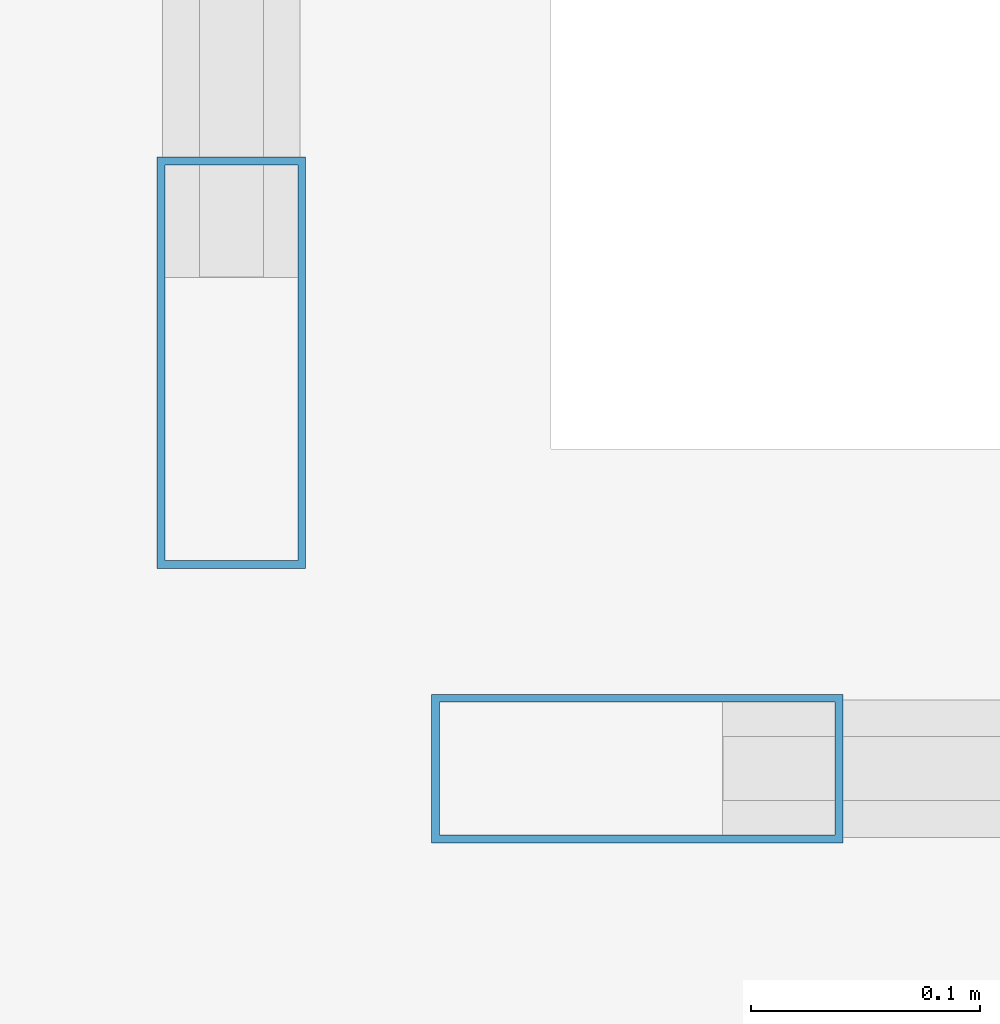
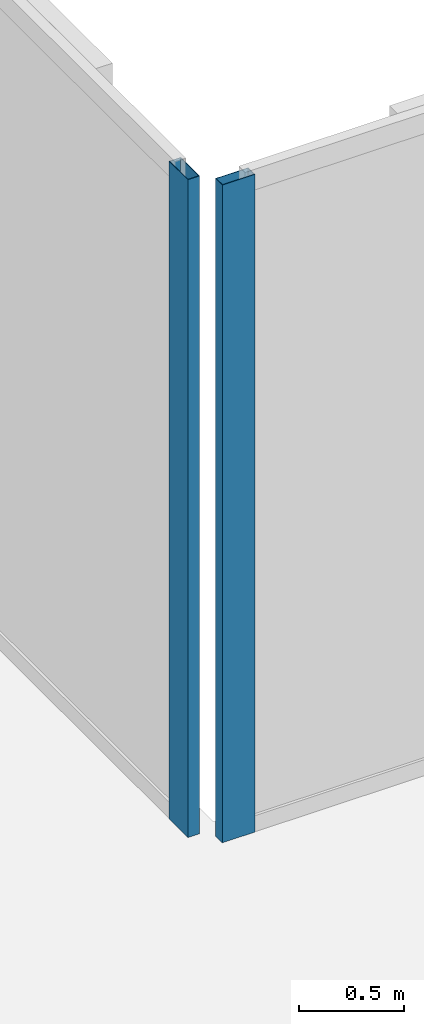
# One storey, part 19 of 29: 2 members, 2 elements without a shape of their own.
"""IFC4 building model written with IfcOpenShell, lengths in metres."""

import ifcopenshell
import ifcopenshell.guid

model = None  # the IFC model being written
_history = None  # IfcOwnerHistory: only IFC2X3 demands one
_inside = {}  # id of a spatial element -> (the spatial element, [elements in it])
_under = {}  # id of a project, library or spatial element -> (it, [spatial elements below it])
_declared = {}  # id of a project -> (the project, [libraries it declares])
_typed = {}  # id of a type object -> (the type object, [elements of that type])
_made_of = {}  # id of a material, layer set ... -> (it, [elements and type objects made of it])


def new_model(schema):
    """Start an empty IFC model of exactly this schema.

    Asked for "IFC4X3", IfcOpenShell would pick the latest addendum, in which some entities
    have other attributes; the version numbers below select the first issue.
    IFC2X3 requires an IfcOwnerHistory on every rooted entity: one is made here for all.
    """
    global model, _history
    if schema == "IFC4X3":
        model = ifcopenshell.file(schema_version=(4, 3, 0, 0))
    else:
        model = ifcopenshell.file(schema=schema)
    _inside.clear()
    _under.clear()
    _declared.clear()
    _typed.clear()
    _made_of.clear()
    _history = None
    if model.schema == "IFC2X3":
        org = make("IfcOrganization", Name="unknown")
        user = make(
            "IfcPersonAndOrganization",
            ThePerson=make("IfcPerson", FamilyName="unknown"),
            TheOrganization=org,
        )
        app = make(
            "IfcApplication",
            ApplicationDeveloper=org,
            Version="unknown",
            ApplicationFullName="unknown",
            ApplicationIdentifier="unknown",
        )
        _history = make(
            "IfcOwnerHistory",
            OwningUser=user,
            OwningApplication=app,
            ChangeAction="ADDED",
            CreationDate=0,
        )
    return model


def make(cls, **values):
    """One entity of the class cls with the attributes given. An attribute that is None is left unset."""
    return model.create_entity(
        cls, **{name: value for name, value in values.items() if value is not None}
    )


def rooted(cls, **values):
    """An entity with a GlobalId (a new one), such as an element, a storey or a relation."""
    return make(cls, GlobalId=ifcopenshell.guid.new(), OwnerHistory=_history, **values)


def si_unit(unit_type, name, prefix=None):
    """IfcSIUnit, for example si_unit("LENGTHUNIT", "METRE", prefix="MILLI")."""
    return make("IfcSIUnit", UnitType=unit_type, Prefix=prefix, Name=name)


def assignment(units):
    """IfcUnitAssignment: the units of a project."""
    return None if units is None else make("IfcUnitAssignment", Units=units)


def point(xyz):
    """IfcCartesianPoint."""
    return None if xyz is None else make("IfcCartesianPoint", Coordinates=xyz)


def direction(xyz):
    """IfcDirection."""
    return None if xyz is None else make("IfcDirection", DirectionRatios=xyz)


def frame(location, z_axis=None, x_axis=None):
    """IfcAxis2Placement3D, a coordinate frame: its origin and axes. An axis left out is left unset."""
    return make(
        "IfcAxis2Placement3D",
        Location=point(location),
        Axis=direction(z_axis),
        RefDirection=direction(x_axis),
    )


def frame_2d(location, x_axis=None):
    """IfcAxis2Placement2D, a coordinate frame in the plane: its origin and x axis."""
    return make(
        "IfcAxis2Placement2D", Location=point(location), RefDirection=direction(x_axis)
    )


def origin():
    """The frame at (0, 0, 0) with its axes left unset."""
    return frame((0.0, 0.0, 0.0))


def origin_2d():
    """The frame at (0, 0) in the plane with its x axis left unset."""
    return frame_2d((0.0, 0.0))


def place(relative_to, where):
    """IfcLocalPlacement: puts the frame where relative to a parent placement (None: the world)."""
    return make(
        "IfcLocalPlacement", PlacementRelTo=relative_to, RelativePlacement=where
    )


def context(
    kind, dimensions, precision=None, world=None, true_north=None, identifier=None
):
    """IfcGeometricRepresentationContext, for example the 3D "Model" context."""
    return make(
        "IfcGeometricRepresentationContext",
        ContextIdentifier=identifier,
        ContextType=kind,
        CoordinateSpaceDimension=dimensions,
        Precision=precision,
        WorldCoordinateSystem=world,
        TrueNorth=true_north,
    )


def subcontext(parent, identifier, kind, view, scale=None):
    """IfcGeometricRepresentationSubContext, for example "Body" below "Model"."""
    return make(
        "IfcGeometricRepresentationSubContext",
        ContextIdentifier=identifier,
        ContextType=kind,
        ParentContext=parent,
        TargetScale=scale,
        TargetView=view,
    )


def project(units=None, contexts=None):
    """IfcProject with its units and contexts."""
    return rooted(
        "IfcProject",
        Name="project",
        RepresentationContexts=contexts,
        UnitsInContext=assignment(units),
    )


def spatial(cls, under=None, at=None, **own):
    """A site, building, storey or space (cls), placed at a placement, below another one or the project."""
    s = rooted(cls, ObjectPlacement=at, **own)
    if under is not None:
        _under.setdefault(under.id(), (under, []))[1].append(s)
    return s


def profile(cls, at=None, kind="AREA", **sizes):
    """A parametric profile (cls). Its sizes go by their IFC names, for example OverallWidth=200.0."""
    return make(cls, ProfileType=kind, Position=at, **sizes)


def hollow_rectangle(**sizes):
    """IfcRectangleHollowProfileDef."""
    return profile("IfcRectangleHollowProfileDef", **sizes)


def extrude(swept, where, along, depth):
    """IfcExtrudedAreaSolid: the profile swept, set in the frame where, extruded along a direction by depth."""
    return make(
        "IfcExtrudedAreaSolid",
        SweptArea=swept,
        Position=where,
        ExtrudedDirection=direction(along),
        Depth=depth,
    )


def shape(context_of_items, identifier, shape_type, items):
    """IfcShapeRepresentation: the items that make up one representation, for example the "Body"."""
    return make(
        "IfcShapeRepresentation",
        ContextOfItems=context_of_items,
        RepresentationIdentifier=identifier,
        RepresentationType=shape_type,
        Items=items,
    )


def material(Name=None, Category=None):
    """IfcMaterial."""
    return make("IfcMaterial", Name=Name, Category=Category)


def layer(
    of_material, thickness, ventilated=None, Name=None, Category=None, Priority=None
):
    """IfcMaterialLayer: one layer of a wall or slab, of a material (None: an air gap)."""
    return make(
        "IfcMaterialLayer",
        Material=of_material,
        LayerThickness=thickness,
        IsVentilated=ventilated,
        Name=Name,
        Category=Category,
        Priority=Priority,
    )


def layer_set(layers, Name=None):
    """IfcMaterialLayerSet."""
    return make("IfcMaterialLayerSet", MaterialLayers=layers, LayerSetName=Name)


def material_profile(
    of_material, cross_section, Name=None, Category=None, Priority=None
):
    """IfcMaterialProfile: a cross section and its material."""
    return make(
        "IfcMaterialProfile",
        Name=Name,
        Material=of_material,
        Profile=cross_section,
        Priority=Priority,
        Category=Category,
    )


def profile_set(profiles, Name=None, composite=None):
    """IfcMaterialProfileSet."""
    return make(
        "IfcMaterialProfileSet",
        Name=Name,
        MaterialProfiles=profiles,
        CompositeProfile=composite,
    )


def made_of(thing, what):
    """Note that an element or type object is made of a material, layer set ...; save() writes the relation."""
    if what is not None:
        _made_of.setdefault(what.id(), (what, []))[1].append(thing)
    return thing


def type_object(cls, material=None, **own):
    """A type object (cls), such as IfcWallType, which elements share."""
    return made_of(rooted(cls, **own), material)


def element(
    cls,
    number,
    at=None,
    inside=None,
    cuts=None,
    type_object=None,
    material=None,
    context=None,
    identifier="Body",
    shape_type=None,
    held_by="IfcProductDefinitionShape",
    body=None,
    shapes=None,
    **own,
):
    """One element of the class cls, such as IfcWall. Its Tag is "e" and its number.

    at: its placement. inside: the storey or other place that contains it. cuts: it is an
    opening in that element (IfcRelVoidsElement). A single representation is given by context,
    identifier, shape_type and body (its items); several are given by shapes. held_by: the class
    of the entity that holds the representations. save() writes the other relations.
    """
    e = rooted(cls, Tag="e%d" % number, ObjectPlacement=at, **own)
    if body is not None:
        shapes = [shape(context, identifier, shape_type, body)]
    if shapes is not None:
        e.Representation = make(held_by, Representations=shapes)
    if inside is not None:
        _inside.setdefault(inside.id(), (inside, []))[1].append(e)
    if cuts is not None:
        rooted(
            "IfcRelVoidsElement", RelatingBuildingElement=cuts, RelatedOpeningElement=e
        )
    if type_object is not None:
        _typed.setdefault(type_object.id(), (type_object, []))[1].append(e)
    return made_of(e, material)


def aggregate(whole, parts):
    """IfcRelAggregates: a whole, such as a stair, and the parts it consists of."""
    return rooted("IfcRelAggregates", RelatingObject=whole, RelatedObjects=parts)


def save(model, path):
    """Write the relations noted so far, then the file.

    IfcRelAggregates (storeys below a building ...), IfcRelContainedInSpatialStructure (elements
    in a storey), IfcRelDefinesByType, IfcRelAssociatesMaterial and IfcRelDeclares: one each for
    every whole, place, type object, material and project.
    """
    for whole, parts in _under.values():
        aggregate(whole, parts)
    for where, things in _inside.values():
        rooted(
            "IfcRelContainedInSpatialStructure",
            RelatedElements=things,
            RelatingStructure=where,
        )
    for kind, things in _typed.values():
        rooted("IfcRelDefinesByType", RelatedObjects=things, RelatingType=kind)
    for what, things in _made_of.values():
        rooted("IfcRelAssociatesMaterial", RelatedObjects=things, RelatingMaterial=what)
    for by, libraries in _declared.values():
        rooted("IfcRelDeclares", RelatingContext=by, RelatedDefinitions=libraries)
    model.write(path)


model = new_model("IFC4")

# Units and contexts
model_context = context("Model", 3, precision=1e-05, world=origin(), true_north=direction((0.0, 1.0)))
body_context = subcontext(model_context, "Body", "Model", "MODEL_VIEW")
ifc_project = project(units=[si_unit("LENGTHUNIT", "METRE"), si_unit("AREAUNIT", "SQUARE_METRE"), si_unit("VOLUMEUNIT", "CUBIC_METRE"), si_unit("PLANEANGLEUNIT", "RADIAN"), si_unit("MASSUNIT", "GRAM", prefix="KILO")], contexts=[model_context])

# Site, building, storey
site_placement = place(None, origin())
site = spatial("IfcSite", under=ifc_project, at=site_placement, CompositionType="ELEMENT")
building_placement = place(site_placement, origin())
building = spatial("IfcBuilding", under=site, at=building_placement, Name="Nerrivon Quay Data Exchange", CompositionType="ELEMENT")
storey_placement = place(building_placement, frame((0.0, 0.0, 183.699951171875)))
storey = spatial("IfcBuildingStorey", under=building, at=storey_placement, Name="L43", CompositionType="ELEMENT", Elevation=183.699951171875)

# Curtain wall, member
ifc_material = material(Name="Anodised aluminium 6063-T6", Category="aluminium")
ifc_layer = layer(ifc_material, 0.195068359375)
ifc_layer_set = layer_set([ifc_layer], Name="Anodised aluminium 6063-T6")
curtain_wall_type = type_object("IfcCurtainWallType", Name="CW-SYS-06", PredefinedType="NOTDEFINED", material=ifc_layer_set)
curtain_wall_1_placement = place(storey_placement, origin())
curtain_wall_1 = element("IfcCurtainWall", 1, at=curtain_wall_1_placement, inside=storey, type_object=curtain_wall_type, Name="L43 Unitised Curtain Wall 11", PredefinedType="NOTDEFINED")
ifc_material_profile = material_profile(ifc_material, hollow_rectangle(XDim=0.06494140625, YDim=0.179931640625, WallThickness=0.00341796875, at=origin_2d()), Name="ALU-MULL-180x65")
ifc_profile_set = profile_set([ifc_material_profile], Name="Anodised aluminium 6063-T6")
member_type = type_object("IfcMemberType", Name="CWM-180x65", PredefinedType="MULLION", material=ifc_profile_set)
member_1_placement = place(storey_placement, frame((20.860107421875, 46.237548828125, 0.0), z_axis=(0.0, 0.0, 1.0), x_axis=(1.0, 0.0, 0.0)))
member_1 = element("IfcMember", 2, at=member_1_placement, type_object=member_type, Name="CW06 mullion 2", PredefinedType="MULLION", context=body_context, shape_type="SweptSolid", body=[
    extrude(hollow_rectangle(XDim=0.06494140625, YDim=0.179931640625, WallThickness=0.00341796875, at=origin_2d()), origin(), (0.0, 0.0, 1.0), 3.824951171875),
])
aggregate(curtain_wall_1, [member_1])

curtain_wall_2_placement = place(storey_placement, origin())
curtain_wall_2 = element("IfcCurtainWall", 3, at=curtain_wall_2_placement, inside=storey, type_object=curtain_wall_type, Name="L43 Unitised Curtain Wall 12", PredefinedType="NOTDEFINED")
member_2_placement = place(storey_placement, frame((21.03759765625, 46.06005859375, 0.0), z_axis=(0.0, 0.0, 1.0), x_axis=(0.0, 1.0, 0.0)))
member_2 = element("IfcMember", 4, at=member_2_placement, type_object=member_type, Name="CW06 mullion 1", PredefinedType="MULLION", context=body_context, shape_type="SweptSolid", body=[
    extrude(hollow_rectangle(XDim=0.06494140625, YDim=0.179931640625, WallThickness=0.00341796875, at=origin_2d()), origin(), (0.0, 0.0, 1.0), 3.824951171875),
])
aggregate(curtain_wall_2, [member_2])

save(model, "model.ifc")
